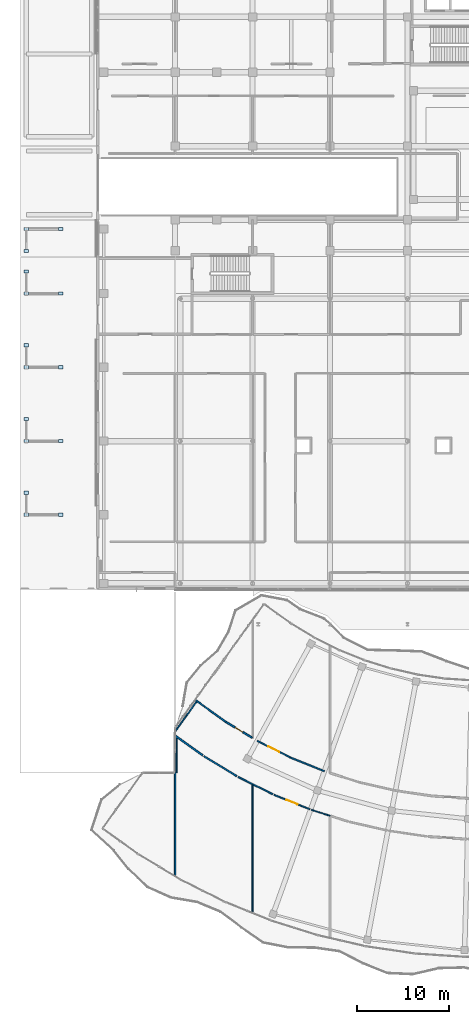
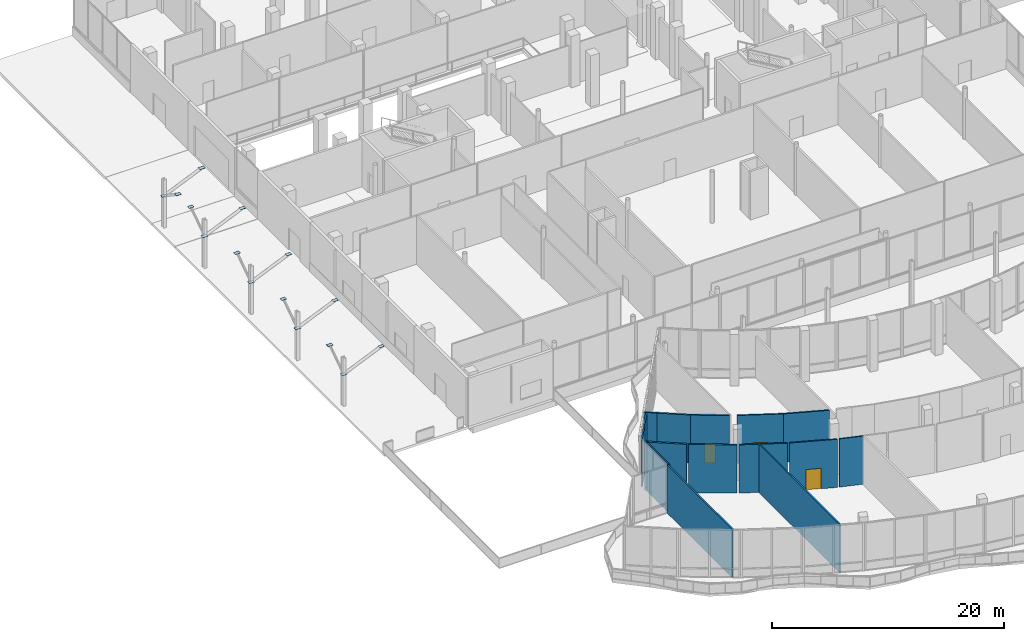
# One storey, part 132 of 158: 16 walls, 15 plates, 3 doors, 3 openings.
"""IFC4 building model written with IfcOpenShell, lengths in metres."""

from ifc_helpers import new_model, si_unit, direction, frame, frame_2d, origin, origin_2d, place, context, subcontext, project, spatial, rectangle, extrude, material, layer, layer_set, type_object, element, fill, save


model = new_model("IFC4")

# Units and contexts
model_context = context("Model", 3, precision=1e-05, world=origin(), true_north=direction((0.0, 1.0)))
body_context = subcontext(model_context, "Body", "Model", "MODEL_VIEW")
ifc_project = project(units=[si_unit("LENGTHUNIT", "METRE"), si_unit("AREAUNIT", "SQUARE_METRE"), si_unit("VOLUMEUNIT", "CUBIC_METRE"), si_unit("PLANEANGLEUNIT", "RADIAN"), si_unit("MASSUNIT", "GRAM", prefix="KILO")], contexts=[model_context])

# Site, building, storey
site_placement = place(None, origin())
site = spatial("IfcSite", under=ifc_project, at=site_placement, CompositionType="ELEMENT")
building_placement = place(site_placement, origin())
building = spatial("IfcBuilding", under=site, at=building_placement, Name="Selatvlak General Hospital", CompositionType="ELEMENT")
storey_placement = place(building_placement, origin())
storey = spatial("IfcBuildingStorey", under=building, at=storey_placement, Name="L00", CompositionType="ELEMENT", Elevation=0.0)

# Plates
ifc_material_1 = material(Name="Steel S355", Category="steel")
ifc_layer_1 = layer(ifc_material_1, 0.01806640625, Name="Steel S355", Category="steel")
ifc_layer_set_1 = layer_set([ifc_layer_1], Name="Steel S355")
plate_type = type_object("IfcPlateType", Name="PLT-GP-04", PredefinedType="USERDEFINED", material=ifc_layer_set_1)
for number, where, z_axis, x_axis, name in (
    (1, (6.64990234375, 60.0, 3.291015625), (0.0, 0.0, 1.0), (1.0, 0.0, 0.0), "Canopy strut node gusset plate 087"),
    (2, (10.39990234375, 60.0, 4.910888671875), (0.0, 0.0, 1.0), (1.0, 0.0, 0.0), "Canopy strut node gusset plate 088"),
    (3, (6.64990234375, 62.39990234375, 4.910888671875), (0.0, 0.0, 1.0), (1.0, 0.0, 0.0), "Canopy strut node gusset plate 089"),
    (4, (6.64990234375, 68.0, 3.291015625), (0.0, 0.0, 1.0), (1.0, 0.0, 0.0), "Canopy strut node gusset plate 090"),
    (5, (10.39990234375, 68.0, 4.910888671875), (0.0, 0.0, 1.0), (1.0, 0.0, 0.0), "Canopy strut node gusset plate 091"),
    (6, (6.64990234375, 70.39990234375, 4.910888671875), (0.0, 0.0, 1.0), (1.0, 0.0, 0.0), "Canopy strut node gusset plate 092"),
    (7, (6.64990234375, 76.0, 3.291015625), (0.0, 0.0, 1.0), (1.0, 0.0, 0.0), "Canopy strut node gusset plate 093"),
    (8, (10.39990234375, 76.0, 4.910888671875), (0.0, 0.0, 1.0), (1.0, 0.0, 0.0), "Canopy strut node gusset plate 094"),
    (9, (6.64990234375, 78.39990234375, 4.910888671875), (0.0, 0.0, 1.0), (1.0, 0.0, 0.0), "Canopy strut node gusset plate 095"),
    (10, (6.64990234375, 84.0, 3.291015625), (0.0, 0.0, 1.0), (1.0, 0.0, 0.0), "Canopy strut node gusset plate 096"),
    (11, (10.39990234375, 84.0, 4.910888671875), (0.0, 0.0, 1.0), (1.0, 0.0, 0.0), "Canopy strut node gusset plate 097"),
    (12, (6.64990234375, 86.39990234375, 4.910888671875), (0.0, 0.0, 1.0), (1.0, 0.0, 0.0), "Canopy strut node gusset plate 098"),
    (13, (6.64990234375, 91.0, 3.291015625), (0.0, 0.0, 1.0), (1.0, 0.0, 0.0), "Canopy strut node gusset plate 099"),
    (14, (10.39990234375, 91.0, 4.910888671875), (0.0, 0.0, 1.0), (1.0, 0.0, 0.0), "Canopy strut node gusset plate 100"),
    (15, (6.64990234375, 88.60009765625, 4.910888671875), (0.0, 0.0, 1.0), (1.0, 0.0, 0.0), "Canopy strut node gusset plate 101"),
):
    element("IfcPlate", number, at=place(storey_placement, frame(where, z_axis=z_axis, x_axis=x_axis)), inside=storey, type_object=plate_type, Name=name, ObjectType="GUSSET_PLATE", PredefinedType="USERDEFINED", context=body_context, shape_type="SweptSolid", body=[
        extrude(rectangle(XDim=0.5, YDim=0.35009765625, at=origin_2d()), origin(), (0.0, 0.0, 1.0), 0.01806640625),
    ])

# Wall, opening, door
ifc_material_2 = material(Name="Acoustic gypsum stud partition")
ifc_layer_2 = layer(ifc_material_2, 0.179931640625, Name="Acoustic gypsum stud partition")
ifc_layer_set_2 = layer_set([ifc_layer_2], Name="Acoustic gypsum stud partition")
wall_type_1 = type_object("IfcWallType", Name="WALL-PT-01", PredefinedType="PARTITIONING", material=ifc_layer_set_2)
wall_1_placement = place(storey_placement, frame((31.14404296875, 35.80908203125, 0.0), z_axis=(0.0, 0.0, 1.0), x_axis=(-0.855701886709, 0.517469111235, 0.0)))
wall_1 = element("IfcWall", 16, at=wall_1_placement, inside=storey, type_object=wall_type_1, Name="L00 clinical partition PT-L00-0410", PredefinedType="PARTITIONING", context=body_context, shape_type="SweptSolid", body=[
    extrude(rectangle(XDim=3.34130859375, YDim=0.179931640625, at=frame_2d((1.670654296875, 0.0))), origin(), (0.0, 0.0, 1.0), 5.080078125),
])
opening_1_placement = place(wall_1_placement, frame((1.196044921875, 0.0, 0.0)))
opening_1 = element("IfcOpeningElement", 17, at=opening_1_placement, cuts=wall_1, Name="Opening D-02", PredefinedType="OPENING", context=body_context, shape_type="SweptSolid", body=[
    extrude(rectangle(XDim=0.949951171875, YDim=2.10009765625, at=frame_2d((0.47509765625, 1.050048828125))), frame((0.0, 0.099853515625, 0.0), z_axis=(0.0, -1.0, 0.0), x_axis=(1.0, 0.0, 0.0)), (0.0, 0.0, 1.0), 0.199951171875),
])
ifc_material_3 = material(Name="Moisture-resistant en-suite door")
door_type_1 = type_object("IfcDoorType", Name="DOOR-D-02", OperationType="NOTDEFINED", PredefinedType="DOOR", material=ifc_material_3)
door_1_placement = place(opening_1_placement, origin())
door_1 = element("IfcDoor", 18, at=door_1_placement, inside=storey, type_object=door_type_1, Name="L00 Outpatient Specialist Waiting Concourse 02 door", OperationType="SINGLE_SWING_RIGHT", OverallHeight=2.10009765625, OverallWidth=0.949951171875, PredefinedType="DOOR", context=body_context, shape_type="SweptSolid", body=[
    extrude(rectangle(XDim=0.949951171875, YDim=2.10009765625, at=frame_2d((0.47509765625, 1.050048828125))), frame((0.0, 0.02490234375, 0.0), z_axis=(0.0, -1.0, 0.0), x_axis=(1.0, 0.0, 0.0)), (0.0, 0.0, 1.0), 0.050048828125),
])
fill(opening_1, door_1)

# Walls
wall_2_placement = place(storey_placement, frame((22.81103515625, 36.031005859375, 0.0), z_axis=(0.0, 0.0, 1.0), x_axis=(0.811746017574, -0.584010618869, 0.0)))
element("IfcWall", 19, at=wall_2_placement, inside=storey, type_object=wall_type_1, Name="L00 clinical partition PT-L00-0415", PredefinedType="PARTITIONING", context=body_context, shape_type="SweptSolid", body=[
    extrude(rectangle(XDim=3.65234375, YDim=0.179931640625, at=frame_2d((1.826171875, 0.0))), origin(), (0.0, 0.0, 1.0), 5.080078125),
])
ifc_layer_3 = layer(ifc_material_2, 0.1650390625, Name="Acoustic gypsum stud partition")
ifc_layer_set_3 = layer_set([ifc_layer_3], Name="Acoustic gypsum stud partition")
wall_type_2 = type_object("IfcWallType", Name="WALL-PT-02", PredefinedType="PARTITIONING", material=ifc_layer_set_3)
wall_3_placement = place(storey_placement, frame((28.284912109375, 37.5380859375, 0.0), z_axis=(0.0, 0.0, 1.0), x_axis=(-0.812002919512, 0.583653372049, 0.0)))
element("IfcWall", 20, at=wall_3_placement, inside=storey, type_object=wall_type_2, Name="L00 clinical partition PT-L00-0411", PredefinedType="PARTITIONING", context=body_context, shape_type="SweptSolid", body=[
    extrude(rectangle(XDim=2.90380859375, YDim=0.1650390625, at=frame_2d((1.451904296875, 0.0))), origin(), (0.0, 0.0, 1.0), 5.080078125),
])
wall_4_placement = place(storey_placement, frame((25.922119140625, 33.801025390625, 0.0), z_axis=(0.0, 0.0, 1.0), x_axis=(0.855707289443, -0.517460177013, 0.0)))
element("IfcWall", 21, at=wall_4_placement, inside=storey, type_object=wall_type_2, Name="L00 clinical partition PT-L00-0416", PredefinedType="PARTITIONING", context=body_context, shape_type="SweptSolid", body=[
    extrude(rectangle(XDim=4.174072265625, YDim=0.1650390625, at=frame_2d((2.0869140625, 0.0))), origin(), (0.0, 0.0, 1.0), 5.080078125),
])
ifc_layer_4 = layer(ifc_material_2, 0.14990234375, Name="Acoustic gypsum stud partition")
ifc_layer_set_4 = layer_set([ifc_layer_4], Name="Acoustic gypsum stud partition")
wall_type_3 = type_object("IfcWallType", Name="WALL-PT-03", PredefinedType="PARTITIONING", material=ifc_layer_set_4)
wall_5_placement = place(storey_placement, frame((22.800048828125, 20.76904296875, 0.0), z_axis=(0.0, 0.0, 1.0), x_axis=(0.0, 1.0, 0.0)))
element("IfcWall", 22, at=wall_5_placement, inside=storey, type_object=wall_type_3, Name="L00 clinical partition PT-L00-0407", PredefinedType="PARTITIONING", context=body_context, shape_type="SweptSolid", body=[
    extrude(rectangle(XDim=11.2509765625, YDim=0.14990234375, at=frame_2d((5.62548828125, 0.0))), origin(), (0.0, 0.0, 1.0), 5.080078125),
])
wall_6_placement = place(storey_placement, frame((25.927001953125, 39.23291015625, 0.0), z_axis=(0.0, 0.0, 1.0), x_axis=(-0.811597702132, 0.584216714836, 0.0)))
element("IfcWall", 23, at=wall_6_placement, inside=storey, type_object=wall_type_3, Name="L00 clinical partition PT-L00-0412", PredefinedType="PARTITIONING", context=body_context, shape_type="SweptSolid", body=[
    extrude(rectangle(XDim=1.169189453125, YDim=0.14990234375, at=frame_2d((0.58447265625, 0.0))), origin(), (0.0, 0.0, 1.0), 5.080078125),
])
wall_7_placement = place(storey_placement, frame((29.64794921875, 31.555908203125, 0.0), z_axis=(0.0, 0.0, 1.0), x_axis=(0.894230168264, -0.447607424165, 0.0)))
element("IfcWall", 24, at=wall_7_placement, inside=storey, type_object=wall_type_3, Name="L00 clinical partition PT-L00-0417", PredefinedType="PARTITIONING", context=body_context, shape_type="SweptSolid", body=[
    extrude(rectangle(XDim=1.735595703125, YDim=0.14990234375, at=frame_2d((0.86767578125, 0.0))), origin(), (0.0, 0.0, 1.0), 5.080078125),
])
wall_8_placement = place(storey_placement, frame((31.263916015625, 30.7470703125, 0.0), z_axis=(0.0, 0.0, 1.0), x_axis=(0.894076176451, -0.447914936905, 0.0)))
element("IfcWall", 25, at=wall_8_placement, inside=storey, type_object=wall_type_3, Name="L00 clinical partition PT-L00-0422", PredefinedType="PARTITIONING", context=body_context, shape_type="SweptSolid", body=[
    extrude(rectangle(XDim=2.36669921875, YDim=0.14990234375, at=frame_2d((1.183349609375, 0.0))), origin(), (0.0, 0.0, 1.0), 5.080078125),
])
wall_9_placement = place(storey_placement, frame((38.987060546875, 32.177001953125, 0.0), z_axis=(0.0, 0.0, 1.0), x_axis=(-0.926867919325, 0.375387613176, 0.0)))
element("IfcWall", 26, at=wall_9_placement, inside=storey, type_object=wall_type_3, Name="L00 clinical partition PT-L00-0427", PredefinedType="PARTITIONING", context=body_context, shape_type="SweptSolid", body=[
    extrude(rectangle(XDim=3.99853515625, YDim=0.14990234375, at=frame_2d((1.999267578125, 0.0))), origin(), (0.0, 0.0, 1.0), 5.080078125),
])
ifc_material_4 = material(Name="Moisture-resistant clinical partition")
ifc_layer_5 = layer(ifc_material_4, 0.135009765625, Name="Moisture-resistant clinical partition")
ifc_layer_set_5 = layer_set([ifc_layer_5], Name="Moisture-resistant clinical partition")
wall_type_4 = type_object("IfcWallType", Name="WALL-PT-04", PredefinedType="PARTITIONING", material=ifc_layer_set_5)
wall_10_placement = place(storey_placement, frame((22.93994140625, 32.02490234375, 0.0), z_axis=(0.0, 0.0, 1.0), x_axis=(0.0, 1.0, 0.0)))
element("IfcWall", 27, at=wall_10_placement, inside=storey, type_object=wall_type_4, Name="L00 clinical partition PT-L00-0408", PredefinedType="PARTITIONING", context=body_context, shape_type="SweptSolid", body=[
    extrude(rectangle(XDim=3.72119140625, YDim=0.135009765625, at=frame_2d((1.860595703125, 0.0))), origin(), (0.0, 0.0, 1.0), 5.080078125),
])
wall_11_placement = place(storey_placement, frame((25.1220703125, 39.72509765625, 0.0), z_axis=(0.0, 0.0, 1.0), x_axis=(-0.584160104568, -0.811638449207, 0.0)))
element("IfcWall", 28, at=wall_11_placement, inside=storey, type_object=wall_type_4, Name="L00 clinical partition PT-L00-0413", PredefinedType="PARTITIONING", context=body_context, shape_type="SweptSolid", body=[
    extrude(rectangle(XDim=1.823486328125, YDim=0.135009765625, at=frame_2d((0.91162109375, 0.0))), origin(), (0.0, 0.0, 1.0), 5.080078125),
])
wall_12_placement = place(storey_placement, frame((31.199951171875, 30.779052734375, 0.0), z_axis=(0.0, 0.0, 1.0), x_axis=(0.0, -1.0, 0.0)))
element("IfcWall", 29, at=wall_12_placement, inside=storey, type_object=wall_type_4, Name="L00 clinical partition PT-L00-0418", PredefinedType="PARTITIONING", context=body_context, shape_type="SweptSolid", body=[
    extrude(rectangle(XDim=13.989990234375, YDim=0.135009765625, at=frame_2d((6.9951171875, 0.0))), origin(), (0.0, 0.0, 1.0), 5.080078125),
])

# Wall, opening, door
wall_13_placement = place(storey_placement, frame((33.5400390625, 29.614990234375, 0.0), z_axis=(0.0, 0.0, 1.0), x_axis=(0.926870756001, -0.375380609075, 0.0)))
wall_13 = element("IfcWall", 30, at=wall_13_placement, inside=storey, type_object=wall_type_4, Name="L00 clinical partition PT-L00-0423", PredefinedType="PARTITIONING", context=body_context, shape_type="SweptSolid", body=[
    extrude(rectangle(XDim=4.174072265625, YDim=0.135009765625, at=frame_2d((2.0869140625, 0.0))), origin(), (0.0, 0.0, 1.0), 5.080078125),
])
opening_2_placement = place(wall_13_placement, frame((1.43701171875, 0.0, 0.0)))
opening_2 = element("IfcOpeningElement", 31, at=opening_2_placement, cuts=wall_13, Name="Opening D-09", PredefinedType="OPENING", context=body_context, shape_type="SweptSolid", body=[
    extrude(rectangle(XDim=1.300048828125, YDim=2.14990234375, at=frame_2d((0.64990234375, 1.074951171875))), frame((0.0, 0.077392578125, 0.0), z_axis=(0.0, -1.0, 0.0), x_axis=(1.0, 0.0, 0.0)), (0.0, 0.0, 1.0), 0.155029296875),
])
ifc_material_5 = material(Name="Outpatient procedure door")
door_type_2 = type_object("IfcDoorType", Name="DOOR-D-09", OperationType="NOTDEFINED", PredefinedType="DOOR", material=ifc_material_5)
door_2_placement = place(opening_2_placement, origin())
door_2 = element("IfcDoor", 32, at=door_2_placement, inside=storey, type_object=door_type_2, Name="L00 Outpatient Specialist Consultation Clinic 04 door", OperationType="SINGLE_SWING_RIGHT", OverallHeight=2.14990234375, OverallWidth=1.300048828125, PredefinedType="DOOR", context=body_context, shape_type="SweptSolid", body=[
    extrude(rectangle(XDim=1.300048828125, YDim=2.14990234375, at=frame_2d((0.64990234375, 1.074951171875))), frame((0.0, 0.02490234375, 0.0), z_axis=(0.0, -1.0, 0.0), x_axis=(1.0, 0.0, 0.0)), (0.0, 0.0, 1.0), 0.050048828125),
])
fill(opening_2, door_2)

wall_14_placement = place(storey_placement, frame((35.281005859375, 33.677978515625, 0.0), z_axis=(0.0, 0.0, 1.0), x_axis=(-0.894072773978, 0.447921728464, 0.0)))
wall_14 = element("IfcWall", 33, at=wall_14_placement, inside=storey, type_object=wall_type_4, Name="L00 clinical partition PT-L00-0428", PredefinedType="PARTITIONING", context=body_context, shape_type="SweptSolid", body=[
    extrude(rectangle(XDim=3.99853515625, YDim=0.135009765625, at=frame_2d((1.999267578125, 0.0))), origin(), (0.0, 0.0, 1.0), 5.080078125),
])
opening_3_placement = place(wall_14_placement, frame((1.323974609375, 0.0, 0.0)))
opening_3 = element("IfcOpeningElement", 34, at=opening_3_placement, cuts=wall_14, Name="Opening D-10", PredefinedType="OPENING", context=body_context, shape_type="SweptSolid", body=[
    extrude(rectangle(XDim=1.35009765625, YDim=2.14990234375, at=frame_2d((0.675048828125, 1.074951171875))), frame((0.0, 0.077392578125, 0.0), z_axis=(0.0, -1.0, 0.0), x_axis=(1.0, 0.0, 0.0)), (0.0, 0.0, 1.0), 0.155029296875),
])
ifc_material_6 = material(Name="Single patient bed door")
door_type_3 = type_object("IfcDoorType", Name="DOOR-D-10", OperationType="NOTDEFINED", PredefinedType="DOOR", material=ifc_material_6)
door_3_placement = place(opening_3_placement, origin())
door_3 = element("IfcDoor", 35, at=door_3_placement, inside=storey, type_object=door_type_3, Name="L00 Dental Maxillofacial Clinic 05 door", OperationType="SINGLE_SWING_LEFT", OverallHeight=2.14990234375, OverallWidth=1.35009765625, PredefinedType="DOOR", context=body_context, shape_type="SweptSolid", body=[
    extrude(rectangle(XDim=1.35009765625, YDim=2.14990234375, at=frame_2d((0.675048828125, 1.074951171875))), frame((0.0, 0.02490234375, 0.0), z_axis=(0.0, -1.0, 0.0), x_axis=(1.0, 0.0, 0.0)), (0.0, 0.0, 1.0), 0.050048828125),
])
fill(opening_3, door_3)

# Walls
ifc_layer_6 = layer(ifc_material_4, 0.1201171875, Name="Moisture-resistant clinical partition")
ifc_layer_set_6 = layer_set([ifc_layer_6], Name="Moisture-resistant clinical partition")
wall_type_5 = type_object("IfcWallType", Name="WALL-PT-05", PredefinedType="PARTITIONING", material=ifc_layer_set_6)
wall_15_placement = place(storey_placement, frame((24.056884765625, 38.2451171875, 0.0), z_axis=(0.0, 0.0, 1.0), x_axis=(-0.583812975313, -0.811888175709, 0.0)))
element("IfcWall", 36, at=wall_15_placement, inside=storey, type_object=wall_type_5, Name="L00 clinical partition PT-L00-0414", PredefinedType="PARTITIONING", context=body_context, shape_type="SweptSolid", body=[
    extrude(rectangle(XDim=2.13232421875, YDim=0.1201171875, at=frame_2d((1.066162109375, 0.0))), origin(), (0.0, 0.0, 1.0), 5.080078125),
])
wall_16_placement = place(storey_placement, frame((37.574951171875, 27.988037109375, 0.0), z_axis=(0.0, 0.0, 1.0), x_axis=(0.953796174372, -0.300454418762, 0.0)))
element("IfcWall", 37, at=wall_16_placement, inside=storey, type_object=wall_type_5, Name="L00 clinical partition PT-L00-0424", PredefinedType="PARTITIONING", context=body_context, shape_type="SweptSolid", body=[
    extrude(rectangle(XDim=2.123291015625, YDim=0.1201171875, at=frame_2d((1.0615234375, 0.0))), origin(), (0.0, 0.0, 1.0), 5.080078125),
])

save(model, "model.ifc")
